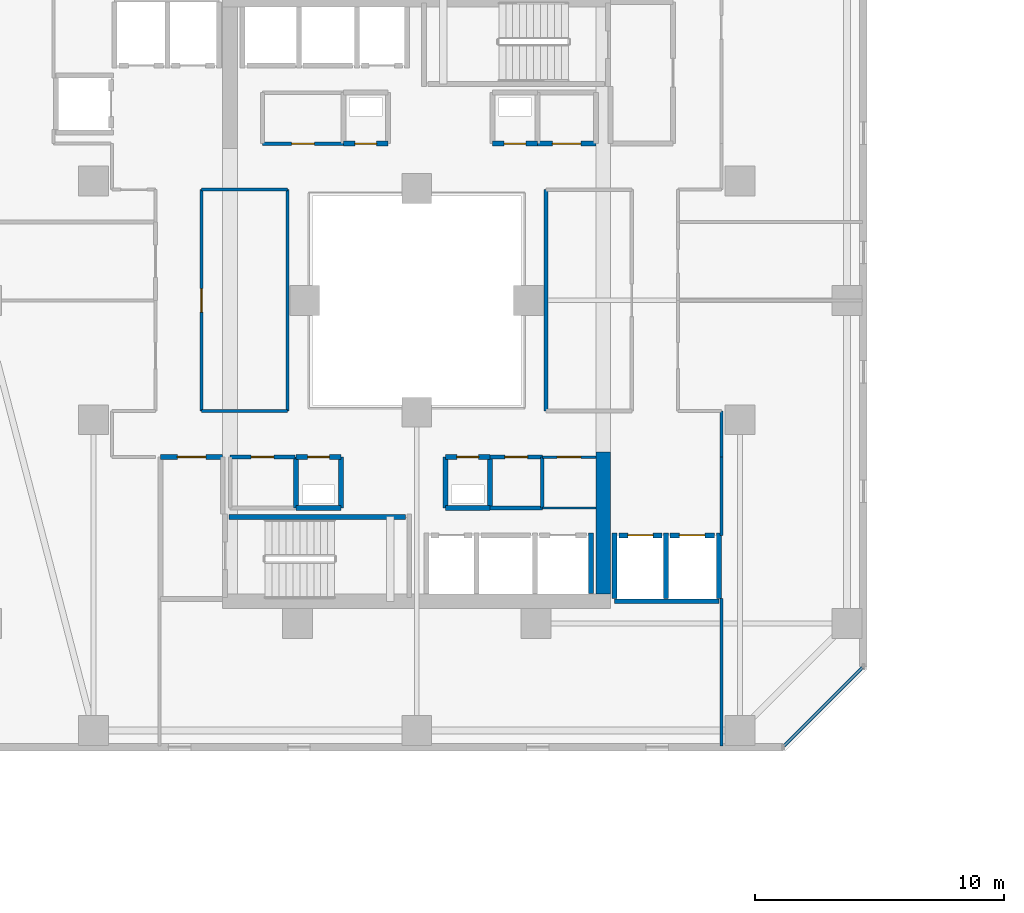
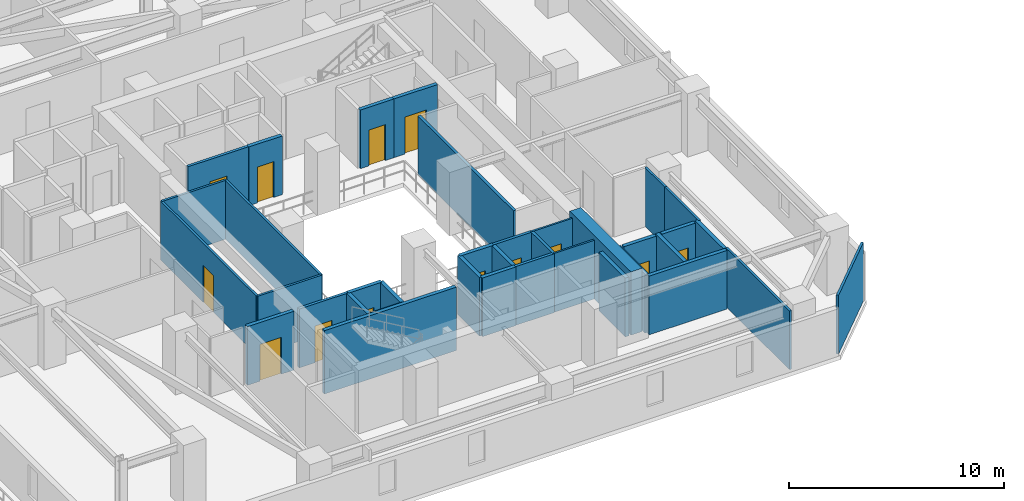
# One storey, part 20 of 33: 37 walls, 13 doors, 13 openings.
"""IFC4 building model written with IfcOpenShell, lengths in metres."""

from ifc_helpers import new_model, si_unit, direction, frame, frame_2d, origin, place, context, subcontext, project, spatial, rectangle, extrude, material, layer, layer_set, type_object, element, fill, save


model = new_model("IFC4")

# Units and contexts
model_context = context("Model", 3, precision=1e-05, world=origin(), true_north=direction((0.0, 1.0)))
body_context = subcontext(model_context, "Body", "Model", "MODEL_VIEW")
ifc_project = project(units=[si_unit("LENGTHUNIT", "METRE"), si_unit("AREAUNIT", "SQUARE_METRE"), si_unit("VOLUMEUNIT", "CUBIC_METRE"), si_unit("PLANEANGLEUNIT", "RADIAN"), si_unit("MASSUNIT", "GRAM", prefix="KILO")], contexts=[model_context])

# Site, building, storey
site_placement = place(None, origin())
site = spatial("IfcSite", under=ifc_project, at=site_placement, CompositionType="ELEMENT")
building_placement = place(site_placement, origin())
building = spatial("IfcBuilding", under=site, at=building_placement, Name="Thornwick Lancets Civic Towers", CompositionType="ELEMENT")
storey_placement = place(building_placement, frame((0.0, 0.0, 108.89990234375)))
storey = spatial("IfcBuildingStorey", under=building, at=storey_placement, Name="L28", CompositionType="ELEMENT", Elevation=108.89990234375)

# Wall, opening, door
ifc_material_1 = material(Name="Concrete blockwork C40/50", Category="masonry")
ifc_layer_1 = layer(ifc_material_1, 0.199951171875, Name="Concrete blockwork C40/50")
ifc_layer_set_1 = layer_set([ifc_layer_1], Name="Concrete blockwork C40/50")
wall_type_1 = type_object("IfcWallType", Name="WALL_COMP_200", PredefinedType="STANDARD", material=ifc_layer_set_1)
wall_1_placement = place(storey_placement, frame((33.6298828125, 17.550048828125, 0.0), z_axis=(0.0, 0.0, 1.0), x_axis=(1.0, 0.0, 0.0)))
wall_1 = element("IfcWall", 1, at=wall_1_placement, inside=storey, type_object=wall_type_1, Name="L28 Hoistway Front Wall PL-AL2", PredefinedType="STANDARD", context=body_context, shape_type="SweptSolid", body=[
    extrude(rectangle(XDim=1.740234375, YDim=0.199951171875, at=frame_2d((0.8701171875, 0.0))), origin(), (0.0, 0.0, 1.0), 3.340087890625),
])
opening_1_placement = place(wall_1_placement, frame((0.360107421875, 0.0, 0.0)))
opening_1 = element("IfcOpeningElement", 2, at=opening_1_placement, cuts=wall_1, Name="Opening LD-PL-AL2", PredefinedType="OPENING", context=body_context, shape_type="SweptSolid", body=[
    extrude(rectangle(XDim=1.02001953125, YDim=2.06005859375, at=frame_2d((0.510009765625, 1.030029296875))), frame((0.0, 0.10986328125, 0.0), z_axis=(0.0, -1.0, 0.0), x_axis=(1.0, 0.0, 0.0)), (0.0, 0.0, 1.0), 0.219970703125),
])
ifc_material_2 = material(Name="Brushed bronze stainless steel", Category="steel")
door_type_1 = type_object("IfcDoorType", Name="DOOR_LIFT_SLIDE", OperationType="SLIDING_TO_LEFT", PredefinedType="DOOR", material=ifc_material_2)
door_1_placement = place(opening_1_placement, origin())
door_1 = element("IfcDoor", 3, at=door_1_placement, inside=storey, type_object=door_type_1, Name="L28 Sliding Lift Landing Door LD-PL-AL2", OperationType="SLIDING_TO_LEFT", OverallHeight=2.06005859375, OverallWidth=1.02001953125, PredefinedType="DOOR", context=body_context, shape_type="SweptSolid", body=[
    extrude(rectangle(XDim=1.02001953125, YDim=2.06005859375, at=frame_2d((0.510009765625, 1.030029296875))), frame((0.0, 0.02490234375, 0.0), z_axis=(0.0, -1.0, 0.0), x_axis=(1.0, 0.0, 0.0)), (0.0, 0.0, 1.0), 0.050048828125),
])
fill(opening_1, door_1)

wall_2_placement = place(storey_placement, frame((35.679931640625, 17.550048828125, 0.0), z_axis=(0.0, 0.0, 1.0), x_axis=(1.0, 0.0, 0.0)))
wall_2 = element("IfcWall", 4, at=wall_2_placement, inside=storey, type_object=wall_type_1, Name="L28 Hoistway Front Wall PL-AL3", PredefinedType="STANDARD", context=body_context, shape_type="SweptSolid", body=[
    extrude(rectangle(XDim=1.7900390625, YDim=0.199951171875, at=frame_2d((0.89501953125, 0.0))), origin(), (0.0, 0.0, 1.0), 3.340087890625),
])
opening_2_placement = place(wall_2_placement, frame((0.385009765625, 0.0, 0.0)))
opening_2 = element("IfcOpeningElement", 5, at=opening_2_placement, cuts=wall_2, Name="Opening LD-PL-AL3", PredefinedType="OPENING", context=body_context, shape_type="SweptSolid", body=[
    extrude(rectangle(XDim=1.02001953125, YDim=2.06005859375, at=frame_2d((0.510009765625, 1.030029296875))), frame((0.0, 0.10986328125, 0.0), z_axis=(0.0, -1.0, 0.0), x_axis=(1.0, 0.0, 0.0)), (0.0, 0.0, 1.0), 0.219970703125),
])
door_2_placement = place(opening_2_placement, origin())
door_2 = element("IfcDoor", 6, at=door_2_placement, inside=storey, type_object=door_type_1, Name="L28 Sliding Lift Landing Door LD-PL-AL3", OperationType="SLIDING_TO_LEFT", OverallHeight=2.06005859375, OverallWidth=1.02001953125, PredefinedType="DOOR", context=body_context, shape_type="SweptSolid", body=[
    extrude(rectangle(XDim=1.02001953125, YDim=2.06005859375, at=frame_2d((0.510009765625, 1.030029296875))), frame((0.0, 0.02490234375, 0.0), z_axis=(0.0, -1.0, 0.0), x_axis=(1.0, 0.0, 0.0)), (0.0, 0.0, 1.0), 0.050048828125),
])
fill(opening_2, door_2)

# Walls
wall_3_placement = place(storey_placement, frame((32.5, 15.2119140625, 0.0), z_axis=(0.0, 0.0, 1.0), x_axis=(0.0, 1.0, 0.0)))
element("IfcWall", 7, at=wall_3_placement, inside=storey, type_object=wall_type_1, Name="L28 Hoistway Shaft Wall PL-AL1 E", PredefinedType="STANDARD", context=body_context, shape_type="SweptSolid", body=[
    extrude(rectangle(XDim=2.43603515625, YDim=0.199951171875, at=frame_2d((1.218017578125, 0.0))), origin(), (0.0, 0.0, 1.0), 3.340087890625),
])
wall_4_placement = place(storey_placement, frame((33.451904296875, 14.89990234375, 0.0), z_axis=(0.0, 0.0, 1.0), x_axis=(1.0, 0.0, 0.0)))
element("IfcWall", 8, at=wall_4_placement, inside=storey, type_object=wall_type_1, Name="L28 Hoistway Shaft Wall PL-AL2 S", PredefinedType="STANDARD", context=body_context, shape_type="SweptSolid", body=[
    extrude(rectangle(XDim=4.196044921875, YDim=0.199951171875, at=frame_2d((2.09814453125, 0.0))), origin(), (0.0, 0.0, 1.0), 3.340087890625),
])
for number, where, z_axis, x_axis, name in (
    (9, (35.52490234375, 15.011962890625, 0.0), (0.0, 0.0, 1.0), (0.0, 1.0, 0.0), "L28 Hoistway Shaft Wall PL-AL2 E"),
    (10, (33.449951171875, 15.011962890625, 0.0), (0.0, 0.0, 1.0), (0.0, 1.0, 0.0), "L28 Hoistway Shaft Wall PL-AL2 W"),
    (11, (37.64990234375, 15.011962890625, 0.0), (0.0, 0.0, 1.0), (0.0, 1.0, 0.0), "L28 Hoistway Shaft Wall PL-AL3 E"),
):
    element("IfcWall", number, at=place(storey_placement, frame(where, z_axis=z_axis, x_axis=x_axis)), inside=storey, type_object=wall_type_1, Name=name, PredefinedType="STANDARD", context=body_context, shape_type="SweptSolid", body=[
        extrude(rectangle(XDim=2.635986328125, YDim=0.199951171875, at=frame_2d((1.31787109375, 0.0))), origin(), (0.0, 0.0, 1.0), 3.340087890625),
    ])

# Wall, opening, door
wall_5_placement = place(storey_placement, frame((17.699951171875, 20.699951171875, 0.0), z_axis=(0.0, 0.0, 1.0), x_axis=(-1.0, 0.0, 0.0)))
wall_5 = element("IfcWall", 12, at=wall_5_placement, inside=storey, type_object=wall_type_1, Name="L28 Partition L28-A-FFLOB1 E3", PredefinedType="STANDARD", context=body_context, shape_type="SweptSolid", body=[
    extrude(rectangle(XDim=2.5, YDim=0.199951171875, at=frame_2d((1.25, 0.0))), origin(), (0.0, 0.0, 1.0), 3.340087890625),
])
opening_3_placement = place(wall_5_placement, frame((0.675048828125, 0.0, 0.0)))
opening_3 = element("IfcOpeningElement", 13, at=opening_3_placement, cuts=wall_5, Name="Opening D-L28-1273", PredefinedType="OPENING", context=body_context, shape_type="SweptSolid", body=[
    extrude(rectangle(XDim=1.14990234375, YDim=2.10009765625, at=frame_2d((0.574951171875, 1.050048828125))), frame((0.0, 0.10986328125, 0.0), z_axis=(0.0, -1.0, 0.0), x_axis=(1.0, 0.0, 0.0)), (0.0, 0.0, 1.0), 0.219970703125),
])
ifc_material_3 = material(Name="Glazed fire-resisting steel", Category="steel")
door_type_2 = type_object("IfcDoorType", Name="DOOR_LOBBY_FD60", OperationType="NOTDEFINED", PredefinedType="DOOR", material=ifc_material_3)
door_3_placement = place(opening_3_placement, origin())
door_3 = element("IfcDoor", 14, at=door_3_placement, inside=storey, type_object=door_type_2, Name="L28 South Firefighting Lobby 1 Door", OperationType="SINGLE_SWING_RIGHT", OverallHeight=2.10009765625, OverallWidth=1.14990234375, PredefinedType="DOOR", context=body_context, shape_type="SweptSolid", body=[
    extrude(rectangle(XDim=1.14990234375, YDim=2.10009765625, at=frame_2d((0.574951171875, 1.050048828125))), frame((0.0, 0.02490234375, 0.0), z_axis=(0.0, -1.0, 0.0), x_axis=(1.0, 0.0, 0.0)), (0.0, 0.0, 1.0), 0.050048828125),
])
fill(opening_3, door_3)

# Walls
wall_6_placement = place(storey_placement, frame((26.64990234375, 18.64990234375, 0.0), z_axis=(0.0, 0.0, 1.0), x_axis=(1.0, 0.0, 0.0)))
element("IfcWall", 15, at=wall_6_placement, inside=storey, type_object=wall_type_1, Name="L28 Partition L28-A-DUCT1 E1", PredefinedType="STANDARD", context=body_context, shape_type="SweptSolid", body=[
    extrude(rectangle(XDim=1.800048828125, YDim=0.199951171875, at=frame_2d((0.89990234375, 0.0))), origin(), (0.0, 0.0, 1.0), 3.340087890625),
])
wall_7_placement = place(storey_placement, frame((28.449951171875, 18.64990234375, 0.0), z_axis=(0.0, 0.0, 1.0), x_axis=(0.0, 1.0, 0.0)))
element("IfcWall", 16, at=wall_7_placement, inside=storey, type_object=wall_type_1, Name="L28 Partition L28-A-DUCT1 E2", PredefinedType="STANDARD", context=body_context, shape_type="SweptSolid", body=[
    extrude(rectangle(XDim=2.050048828125, YDim=0.199951171875, at=frame_2d((1.02490234375, 0.0))), origin(), (0.0, 0.0, 1.0), 3.340087890625),
])

# Wall, opening, door
wall_8_placement = place(storey_placement, frame((28.449951171875, 20.699951171875, 0.0), z_axis=(0.0, 0.0, 1.0), x_axis=(-1.0, 0.0, 0.0)))
wall_8 = element("IfcWall", 17, at=wall_8_placement, inside=storey, type_object=wall_type_1, Name="L28 Partition L28-A-DUCT1 E3", PredefinedType="STANDARD", context=body_context, shape_type="SweptSolid", body=[
    extrude(rectangle(XDim=1.800048828125, YDim=0.199951171875, at=frame_2d((0.89990234375, 0.0))), origin(), (0.0, 0.0, 1.0), 3.340087890625),
])
opening_4_placement = place(wall_8_placement, frame((0.4599609375, 0.0, 0.0)))
opening_4 = element("IfcOpeningElement", 18, at=opening_4_placement, cuts=wall_8, Name="Opening D-L28-1275", PredefinedType="OPENING", context=body_context, shape_type="SweptSolid", body=[
    extrude(rectangle(XDim=0.8798828125, YDim=2.0400390625, at=frame_2d((0.43994140625, 1.02001953125))), frame((0.0, 0.10986328125, 0.0), z_axis=(0.0, -1.0, 0.0), x_axis=(1.0, 0.0, 0.0)), (0.0, 0.0, 1.0), 0.219970703125),
])
ifc_material_4 = material(Name="Steel riser access doorset", Category="steel")
door_type_3 = type_object("IfcDoorType", Name="DOOR_RISER_850", OperationType="NOTDEFINED", PredefinedType="DOOR", material=ifc_material_4)
door_4_placement = place(opening_4_placement, origin())
door_4 = element("IfcDoor", 19, at=door_4_placement, inside=storey, type_object=door_type_3, Name="L28 South Service Duct 1 Door", OperationType="SINGLE_SWING_RIGHT", OverallHeight=2.0400390625, OverallWidth=0.8798828125, PredefinedType="DOOR", context=body_context, shape_type="SweptSolid", body=[
    extrude(rectangle(XDim=0.8798828125, YDim=2.0400390625, at=frame_2d((0.43994140625, 1.02001953125))), frame((0.0, 0.02490234375, 0.0), z_axis=(0.0, -1.0, 0.0), x_axis=(1.0, 0.0, 0.0)), (0.0, 0.0, 1.0), 0.050048828125),
])
fill(opening_4, door_4)

# Walls
wall_9_placement = place(storey_placement, frame((26.64990234375, 20.699951171875, 0.0), z_axis=(0.0, 0.0, 1.0), x_axis=(0.0, -1.0, 0.0)))
element("IfcWall", 20, at=wall_9_placement, inside=storey, type_object=wall_type_1, Name="L28 Partition L28-A-DUCT1 E4", PredefinedType="STANDARD", context=body_context, shape_type="SweptSolid", body=[
    extrude(rectangle(XDim=2.050048828125, YDim=0.199951171875, at=frame_2d((1.02490234375, 0.0))), origin(), (0.0, 0.0, 1.0), 3.340087890625),
])
wall_10_placement = place(storey_placement, frame((20.64990234375, 18.64990234375, 0.0), z_axis=(0.0, 0.0, 1.0), x_axis=(1.0, 0.0, 0.0)))
element("IfcWall", 21, at=wall_10_placement, inside=storey, type_object=wall_type_1, Name="L28 Partition L28-A-RISER1 E1", PredefinedType="STANDARD", context=body_context, shape_type="SweptSolid", body=[
    extrude(rectangle(XDim=1.800048828125, YDim=0.199951171875, at=frame_2d((0.89990234375, 0.0))), origin(), (0.0, 0.0, 1.0), 3.340087890625),
])
wall_11_placement = place(storey_placement, frame((22.449951171875, 18.64990234375, 0.0), z_axis=(0.0, 0.0, 1.0), x_axis=(0.0, 1.0, 0.0)))
element("IfcWall", 22, at=wall_11_placement, inside=storey, type_object=wall_type_1, Name="L28 Partition L28-A-RISER1 E2", PredefinedType="STANDARD", context=body_context, shape_type="SweptSolid", body=[
    extrude(rectangle(XDim=2.050048828125, YDim=0.199951171875, at=frame_2d((1.02490234375, 0.0))), origin(), (0.0, 0.0, 1.0), 3.340087890625),
])

# Wall, opening, door
wall_12_placement = place(storey_placement, frame((22.449951171875, 20.699951171875, 0.0), z_axis=(0.0, 0.0, 1.0), x_axis=(-1.0, 0.0, 0.0)))
wall_12 = element("IfcWall", 23, at=wall_12_placement, inside=storey, type_object=wall_type_1, Name="L28 Partition L28-A-RISER1 E3", PredefinedType="STANDARD", context=body_context, shape_type="SweptSolid", body=[
    extrude(rectangle(XDim=1.800048828125, YDim=0.199951171875, at=frame_2d((0.89990234375, 0.0))), origin(), (0.0, 0.0, 1.0), 3.340087890625),
])
opening_5_placement = place(wall_12_placement, frame((0.4599609375, 0.0, 0.0)))
opening_5 = element("IfcOpeningElement", 24, at=opening_5_placement, cuts=wall_12, Name="Opening D-L28-1276", PredefinedType="OPENING", context=body_context, shape_type="SweptSolid", body=[
    extrude(rectangle(XDim=0.8798828125, YDim=2.0400390625, at=frame_2d((0.43994140625, 1.02001953125))), frame((0.0, 0.10986328125, 0.0), z_axis=(0.0, -1.0, 0.0), x_axis=(1.0, 0.0, 0.0)), (0.0, 0.0, 1.0), 0.219970703125),
])
door_5_placement = place(opening_5_placement, origin())
door_5 = element("IfcDoor", 25, at=door_5_placement, inside=storey, type_object=door_type_3, Name="L28 South Electrical Riser 1 Door", OperationType="SINGLE_SWING_LEFT", OverallHeight=2.0400390625, OverallWidth=0.8798828125, PredefinedType="DOOR", context=body_context, shape_type="SweptSolid", body=[
    extrude(rectangle(XDim=0.8798828125, YDim=2.0400390625, at=frame_2d((0.43994140625, 1.02001953125))), frame((0.0, 0.02490234375, 0.0), z_axis=(0.0, -1.0, 0.0), x_axis=(1.0, 0.0, 0.0)), (0.0, 0.0, 1.0), 0.050048828125),
])
fill(opening_5, door_5)

# Wall
wall_13_placement = place(storey_placement, frame((20.64990234375, 20.699951171875, 0.0), z_axis=(0.0, 0.0, 1.0), x_axis=(0.0, -1.0, 0.0)))
element("IfcWall", 26, at=wall_13_placement, inside=storey, type_object=wall_type_1, Name="L28 Partition L28-A-RISER1 E4", PredefinedType="STANDARD", context=body_context, shape_type="SweptSolid", body=[
    extrude(rectangle(XDim=2.050048828125, YDim=0.199951171875, at=frame_2d((1.02490234375, 0.0))), origin(), (0.0, 0.0, 1.0), 3.340087890625),
])

# Wall, opening, door
wall_14_placement = place(storey_placement, frame((22.550048828125, 33.300048828125, 0.0), z_axis=(0.0, 0.0, 1.0), x_axis=(1.0, 0.0, 0.0)))
wall_14 = element("IfcWall", 27, at=wall_14_placement, inside=storey, type_object=wall_type_1, Name="L28 Partition L28-A-DUCT2 E1", PredefinedType="STANDARD", context=body_context, shape_type="SweptSolid", body=[
    extrude(rectangle(XDim=1.800048828125, YDim=0.199951171875, at=frame_2d((0.89990234375, 0.0))), origin(), (0.0, 0.0, 1.0), 3.340087890625),
])
opening_6_placement = place(wall_14_placement, frame((0.4599609375, 0.0, 0.0)))
opening_6 = element("IfcOpeningElement", 28, at=opening_6_placement, cuts=wall_14, Name="Opening D-L28-1277", PredefinedType="OPENING", context=body_context, shape_type="SweptSolid", body=[
    extrude(rectangle(XDim=0.8798828125, YDim=2.0400390625, at=frame_2d((0.43994140625, 1.02001953125))), frame((0.0, 0.10986328125, 0.0), z_axis=(0.0, -1.0, 0.0), x_axis=(1.0, 0.0, 0.0)), (0.0, 0.0, 1.0), 0.219970703125),
])
door_6_placement = place(opening_6_placement, origin())
door_6 = element("IfcDoor", 29, at=door_6_placement, inside=storey, type_object=door_type_3, Name="L28 North Service Duct 2 Door", OperationType="SINGLE_SWING_RIGHT", OverallHeight=2.0400390625, OverallWidth=0.8798828125, PredefinedType="DOOR", context=body_context, shape_type="SweptSolid", body=[
    extrude(rectangle(XDim=0.8798828125, YDim=2.0400390625, at=frame_2d((0.43994140625, 1.02001953125))), frame((0.0, 0.02490234375, 0.0), z_axis=(0.0, -1.0, 0.0), x_axis=(1.0, 0.0, 0.0)), (0.0, 0.0, 1.0), 0.050048828125),
])
fill(opening_6, door_6)

wall_15_placement = place(storey_placement, frame((28.550048828125, 33.300048828125, 0.0), z_axis=(0.0, 0.0, 1.0), x_axis=(1.0, 0.0, 0.0)))
wall_15 = element("IfcWall", 30, at=wall_15_placement, inside=storey, type_object=wall_type_1, Name="L28 Partition L28-A-RISER2 E1", PredefinedType="STANDARD", context=body_context, shape_type="SweptSolid", body=[
    extrude(rectangle(XDim=1.800048828125, YDim=0.199951171875, at=frame_2d((0.89990234375, 0.0))), origin(), (0.0, 0.0, 1.0), 3.340087890625),
])
opening_7_placement = place(wall_15_placement, frame((0.4599609375, 0.0, 0.0)))
opening_7 = element("IfcOpeningElement", 31, at=opening_7_placement, cuts=wall_15, Name="Opening D-L28-1278", PredefinedType="OPENING", context=body_context, shape_type="SweptSolid", body=[
    extrude(rectangle(XDim=0.8798828125, YDim=2.0400390625, at=frame_2d((0.43994140625, 1.02001953125))), frame((0.0, 0.10986328125, 0.0), z_axis=(0.0, -1.0, 0.0), x_axis=(1.0, 0.0, 0.0)), (0.0, 0.0, 1.0), 0.219970703125),
])
door_7_placement = place(opening_7_placement, origin())
door_7 = element("IfcDoor", 32, at=door_7_placement, inside=storey, type_object=door_type_3, Name="L28 North Service Riser 2 Door", OperationType="SINGLE_SWING_LEFT", OverallHeight=2.0400390625, OverallWidth=0.8798828125, PredefinedType="DOOR", context=body_context, shape_type="SweptSolid", body=[
    extrude(rectangle(XDim=0.8798828125, YDim=2.0400390625, at=frame_2d((0.43994140625, 1.02001953125))), frame((0.0, 0.02490234375, 0.0), z_axis=(0.0, -1.0, 0.0), x_axis=(1.0, 0.0, 0.0)), (0.0, 0.0, 1.0), 0.050048828125),
])
fill(opening_7, door_7)

wall_16_placement = place(storey_placement, frame((32.699951171875, 33.300048828125, 0.0), z_axis=(0.0, 0.0, 1.0), x_axis=(-1.0, 0.0, 0.0)))
wall_16 = element("IfcWall", 33, at=wall_16_placement, inside=storey, type_object=wall_type_1, Name="L28 Partition L28-A-STR E2", PredefinedType="STANDARD", context=body_context, shape_type="SweptSolid", body=[
    extrude(rectangle(XDim=2.349853515625, YDim=0.199951171875, at=frame_2d((1.1748046875, 0.0))), origin(), (0.0, 0.0, 1.0), 3.340087890625),
])
opening_8_placement = place(wall_16_placement, frame((0.60009765625, 0.0, 0.0)))
opening_8 = element("IfcOpeningElement", 34, at=opening_8_placement, cuts=wall_16, Name="Opening D-L28-1283", PredefinedType="OPENING", context=body_context, shape_type="SweptSolid", body=[
    extrude(rectangle(XDim=1.14990234375, YDim=2.10009765625, at=frame_2d((0.574951171875, 1.050048828125))), frame((0.0, 0.10986328125, 0.0), z_axis=(0.0, -1.0, 0.0), x_axis=(1.0, 0.0, 0.0)), (0.0, 0.0, 1.0), 0.219970703125),
])
door_8_placement = place(opening_8_placement, origin())
door_8 = element("IfcDoor", 35, at=door_8_placement, inside=storey, type_object=door_type_2, Name="L28 Tower A Core Equipment Store Door", OperationType="SINGLE_SWING_RIGHT", OverallHeight=2.10009765625, OverallWidth=1.14990234375, PredefinedType="DOOR", context=body_context, shape_type="SweptSolid", body=[
    extrude(rectangle(XDim=1.14990234375, YDim=2.10009765625, at=frame_2d((0.574951171875, 1.050048828125))), frame((0.0, 0.02490234375, 0.0), z_axis=(0.0, -1.0, 0.0), x_axis=(1.0, 0.0, 0.0)), (0.0, 0.0, 1.0), 0.050048828125),
])
fill(opening_8, door_8)

# Walls
ifc_material_5 = material(Name="Concrete C60/75", Category="concrete")
ifc_layer_2 = layer(ifc_material_5, 0.60009765625, Name="Concrete C60/75")
ifc_layer_set_2 = layer_set([ifc_layer_2], Name="Concrete C60/75")
wall_type_2 = type_object("IfcWallType", Name="WALL_CORE_600", PredefinedType="SHEAR", material=ifc_layer_set_2)
wall_17_placement = place(storey_placement, frame((33.0, 15.199951171875, 0.0), z_axis=(0.0, 0.0, 1.0), x_axis=(0.0, 1.0, 0.0)))
element("IfcWall", 36, at=wall_17_placement, inside=storey, type_object=wall_type_2, Name="L28 Split Core A1 Shear Wall E", PredefinedType="SHEAR", context=body_context, shape_type="SweptSolid", body=[
    extrude(rectangle(XDim=5.699951171875, YDim=0.60009765625, at=frame_2d((2.85009765625, 0.0))), origin(), (0.0, 0.0, 1.0), 3.60009765625),
])
ifc_material_6 = material(Name="Lightweight cellular office partition")
ifc_layer_3 = layer(ifc_material_6, 0.10009765625, Name="Lightweight cellular office partition")
ifc_layer_set_3 = layer_set([ifc_layer_3], Name="Lightweight cellular office partition")
wall_type_3 = type_object("IfcWallType", Name="WALL_PART_100", PredefinedType="PARTITIONING", material=ifc_layer_set_3)
wall_18_placement = place(storey_placement, frame((32.699951171875, 18.64990234375, 0.0), z_axis=(0.0, 0.0, 1.0), x_axis=(-1.0, 0.0, 0.0)))
element("IfcWall", 37, at=wall_18_placement, inside=storey, type_object=wall_type_3, Name="L28 Partition L28-A-CLN E2", PredefinedType="PARTITIONING", context=body_context, shape_type="SweptSolid", body=[
    extrude(rectangle(XDim=2.14990234375, YDim=0.10009765625, at=frame_2d((1.074951171875, 0.0))), origin(), (0.0, 0.0, 1.0), 3.340087890625),
])

# Wall, opening, door
wall_19_placement = place(storey_placement, frame((30.550048828125, 20.699951171875, 0.0), z_axis=(0.0, 0.0, 1.0), x_axis=(1.0, 0.0, 0.0)))
wall_19 = element("IfcWall", 38, at=wall_19_placement, inside=storey, type_object=wall_type_3, Name="L28 Partition L28-A-CLN E4", PredefinedType="PARTITIONING", context=body_context, shape_type="SweptSolid", body=[
    extrude(rectangle(XDim=2.14990234375, YDim=0.10009765625, at=frame_2d((1.074951171875, 0.0))), origin(), (0.0, 0.0, 1.0), 3.340087890625),
])
opening_9_placement = place(wall_19_placement, frame((0.60009765625, 0.0, 0.0)))
opening_9 = element("IfcOpeningElement", 39, at=opening_9_placement, cuts=wall_19, Name="Opening D-L28-1281", PredefinedType="OPENING", context=body_context, shape_type="SweptSolid", body=[
    extrude(rectangle(XDim=0.949951171875, YDim=2.10009765625, at=frame_2d((0.47509765625, 1.050048828125))), frame((0.0, 0.06005859375, 0.0), z_axis=(0.0, -1.0, 0.0), x_axis=(1.0, 0.0, 0.0)), (0.0, 0.0, 1.0), 0.1201171875),
])
ifc_material_7 = material(Name="European oak acoustic doorset")
door_type_4 = type_object("IfcDoorType", Name="DOOR_OFFICE_950", OperationType="NOTDEFINED", PredefinedType="DOOR", material=ifc_material_7)
door_9_placement = place(opening_9_placement, origin())
door_9 = element("IfcDoor", 40, at=door_9_placement, inside=storey, type_object=door_type_4, Name="L28 Tower A Cleaners Store Door", OperationType="SINGLE_SWING_RIGHT", OverallHeight=2.10009765625, OverallWidth=0.949951171875, PredefinedType="DOOR", context=body_context, shape_type="SweptSolid", body=[
    extrude(rectangle(XDim=0.949951171875, YDim=2.10009765625, at=frame_2d((0.47509765625, 1.050048828125))), frame((0.0, 0.02490234375, 0.0), z_axis=(0.0, -1.0, 0.0), x_axis=(1.0, 0.0, 0.0)), (0.0, 0.0, 1.0), 0.050048828125),
])
fill(opening_9, door_9)

# Walls
ifc_material_8 = material(Name="Acoustic gypsum board partition")
ifc_layer_4 = layer(ifc_material_8, 0.1201171875, Name="Acoustic gypsum board partition")
ifc_layer_set_4 = layer_set([ifc_layer_4], Name="Acoustic gypsum board partition")
wall_type_4 = type_object("IfcWallType", Name="WALL_PART_120", PredefinedType="PARTITIONING", material=ifc_layer_set_4)
wall_20_placement = place(storey_placement, frame((37.75, 17.550048828125, 0.0), z_axis=(0.0, 0.0, 1.0), x_axis=(0.0, 1.0, 0.0)))
element("IfcWall", 41, at=wall_20_placement, inside=storey, type_object=wall_type_4, Name="L28 Partition L28-A-E1 E1", PredefinedType="PARTITIONING", context=body_context, shape_type="SweptSolid", body=[
    extrude(rectangle(XDim=3.14990234375, YDim=0.1201171875, at=frame_2d((1.574951171875, 0.0))), origin(), (0.0, 0.0, 1.0), 3.340087890625),
])
wall_21_placement = place(storey_placement, frame((37.75, 20.699951171875, 0.0), z_axis=(0.0, 0.0, 1.0), x_axis=(0.0, 1.0, 0.0)))
element("IfcWall", 42, at=wall_21_placement, inside=storey, type_object=wall_type_4, Name="L28 Partition L28-A-E1 E2", PredefinedType="PARTITIONING", context=body_context, shape_type="SweptSolid", body=[
    extrude(rectangle(XDim=1.85009765625, YDim=0.1201171875, at=frame_2d((0.925048828125, 0.0))), origin(), (0.0, 0.0, 1.0), 3.340087890625),
])
wall_22_placement = place(storey_placement, frame((43.419921875, 12.2294921875, 0.0), z_axis=(0.0, 0.0, 1.0), x_axis=(-0.707106781187, -0.707106781187, 0.0)))
element("IfcWall", 43, at=wall_22_placement, inside=storey, type_object=wall_type_4, Name="L28 Partition L28-A-E1 E7", PredefinedType="PARTITIONING", context=body_context, shape_type="SweptSolid", body=[
    extrude(rectangle(XDim=4.453857421875, YDim=0.1201171875, at=frame_2d((2.22705078125, 0.0))), origin(), (0.0, 0.0, 1.0), 3.340087890625),
])
wall_23_placement = place(storey_placement, frame((37.75, 9.080078125, 0.0), z_axis=(0.0, 0.0, 1.0), x_axis=(0.0, 1.0, 0.0)))
element("IfcWall", 44, at=wall_23_placement, inside=storey, type_object=wall_type_4, Name="L28 Partition L28-A-E1 E9", PredefinedType="PARTITIONING", context=body_context, shape_type="SweptSolid", body=[
    extrude(rectangle(XDim=5.931884765625, YDim=0.1201171875, at=frame_2d((2.9658203125, 0.0))), origin(), (0.0, 0.0, 1.0), 3.340087890625),
])

# Wall, opening, door
wall_24_placement = place(storey_placement, frame((16.85009765625, 22.550048828125, 0.0), z_axis=(0.0, 0.0, 1.0), x_axis=(0.0, 1.0, 0.0)))
wall_24 = element("IfcWall", 45, at=wall_24_placement, inside=storey, type_object=wall_type_4, Name="L28 Partition L28-A-ATR-W E1", PredefinedType="PARTITIONING", context=body_context, shape_type="SweptSolid", body=[
    extrude(rectangle(XDim=8.89990234375, YDim=0.1201171875, at=frame_2d((4.449951171875, 0.0))), origin(), (0.0, 0.0, 1.0), 3.340087890625),
])
opening_10_placement = place(wall_24_placement, frame((3.97509765625, 0.0, 0.0)))
opening_10 = element("IfcOpeningElement", 46, at=opening_10_placement, cuts=wall_24, Name="Opening D-L28-1302", PredefinedType="OPENING", context=body_context, shape_type="SweptSolid", body=[
    extrude(rectangle(XDim=0.949951171875, YDim=2.10009765625, at=frame_2d((0.47509765625, 1.050048828125))), frame((0.0, 0.070068359375, 0.0), z_axis=(0.0, -1.0, 0.0), x_axis=(1.0, 0.0, 0.0)), (0.0, 0.0, 1.0), 0.14013671875),
])
door_10_placement = place(opening_10_placement, origin())
door_10 = element("IfcDoor", 47, at=door_10_placement, inside=storey, type_object=door_type_4, Name="L28 Tower A West Atrium Study Lounge Door", OperationType="SINGLE_SWING_LEFT", OverallHeight=2.10009765625, OverallWidth=0.949951171875, PredefinedType="DOOR", context=body_context, shape_type="SweptSolid", body=[
    extrude(rectangle(XDim=0.949951171875, YDim=2.10009765625, at=frame_2d((0.47509765625, 1.050048828125))), frame((0.0, 0.02490234375, 0.0), z_axis=(0.0, -1.0, 0.0), x_axis=(1.0, 0.0, 0.0)), (0.0, 0.0, 1.0), 0.050048828125),
])
fill(opening_10, door_10)

# Walls
wall_25_placement = place(storey_placement, frame((16.85009765625, 31.449951171875, 0.0), z_axis=(0.0, 0.0, 1.0), x_axis=(1.0, 0.0, 0.0)))
element("IfcWall", 48, at=wall_25_placement, inside=storey, type_object=wall_type_4, Name="L28 Partition L28-A-ATR-W E2", PredefinedType="PARTITIONING", context=body_context, shape_type="SweptSolid", body=[
    extrude(rectangle(XDim=3.449951171875, YDim=0.1201171875, at=frame_2d((1.72509765625, 0.0))), origin(), (0.0, 0.0, 1.0), 3.340087890625),
])
wall_26_placement = place(storey_placement, frame((20.300048828125, 31.449951171875, 0.0), z_axis=(0.0, 0.0, 1.0), x_axis=(0.0, -1.0, 0.0)))
element("IfcWall", 49, at=wall_26_placement, inside=storey, type_object=wall_type_4, Name="L28 Partition L28-A-ATR-W E3", PredefinedType="PARTITIONING", context=body_context, shape_type="SweptSolid", body=[
    extrude(rectangle(XDim=8.89990234375, YDim=0.1201171875, at=frame_2d((4.449951171875, 0.0))), origin(), (0.0, 0.0, 1.0), 3.340087890625),
])
wall_27_placement = place(storey_placement, frame((20.300048828125, 22.550048828125, 0.0), z_axis=(0.0, 0.0, 1.0), x_axis=(-1.0, 0.0, 0.0)))
element("IfcWall", 50, at=wall_27_placement, inside=storey, type_object=wall_type_4, Name="L28 Partition L28-A-ATR-W E4", PredefinedType="PARTITIONING", context=body_context, shape_type="SweptSolid", body=[
    extrude(rectangle(XDim=3.449951171875, YDim=0.1201171875, at=frame_2d((1.72509765625, 0.0))), origin(), (0.0, 0.0, 1.0), 3.340087890625),
])

# Wall, opening, door
ifc_material_9 = material(Name="Twin-stud acoustic gypsum board")
ifc_layer_5 = layer(ifc_material_9, 0.14990234375, Name="Twin-stud acoustic gypsum board")
ifc_layer_set_5 = layer_set([ifc_layer_5], Name="Twin-stud acoustic gypsum board")
wall_type_5 = type_object("IfcWallType", Name="WALL_PART_150", PredefinedType="PARTITIONING", material=ifc_layer_set_5)
wall_28_placement = place(storey_placement, frame((20.60009765625, 20.699951171875, 0.0), z_axis=(0.0, 0.0, 1.0), x_axis=(-1.0, 0.0, 0.0)))
wall_28 = element("IfcWall", 51, at=wall_28_placement, inside=storey, type_object=wall_type_5, Name="L28 Partition L28-A-AWC E3", PredefinedType="PARTITIONING", context=body_context, shape_type="SweptSolid", body=[
    extrude(rectangle(XDim=2.60009765625, YDim=0.14990234375, at=frame_2d((1.300048828125, 0.0))), origin(), (0.0, 0.0, 1.0), 3.340087890625),
])
opening_11_placement = place(wall_28_placement, frame((0.840087890625, 0.0, 0.0)))
opening_11 = element("IfcOpeningElement", 52, at=opening_11_placement, cuts=wall_28, Name="Opening D-L28-1279", PredefinedType="OPENING", context=body_context, shape_type="SweptSolid", body=[
    extrude(rectangle(XDim=0.919921875, YDim=2.080078125, at=frame_2d((0.4599609375, 1.0400390625))), frame((0.0, 0.0849609375, 0.0), z_axis=(0.0, -1.0, 0.0), x_axis=(1.0, 0.0, 0.0)), (0.0, 0.0, 1.0), 0.169921875),
])
ifc_material_10 = material(Name="Moisture-resistant oak doorset")
door_type_5 = type_object("IfcDoorType", Name="DOOR_WC_900", OperationType="NOTDEFINED", PredefinedType="DOOR", material=ifc_material_10)
door_11_placement = place(opening_11_placement, origin())
door_11 = element("IfcDoor", 53, at=door_11_placement, inside=storey, type_object=door_type_5, Name="L28 Tower A Accessible WC Door", OperationType="SINGLE_SWING_RIGHT", OverallHeight=2.080078125, OverallWidth=0.919921875, PredefinedType="DOOR", context=body_context, shape_type="SweptSolid", body=[
    extrude(rectangle(XDim=0.919921875, YDim=2.080078125, at=frame_2d((0.4599609375, 1.0400390625))), frame((0.0, 0.02490234375, 0.0), z_axis=(0.0, -1.0, 0.0), x_axis=(1.0, 0.0, 0.0)), (0.0, 0.0, 1.0), 0.050048828125),
])
fill(opening_11, door_11)

# Walls
wall_29_placement = place(storey_placement, frame((30.550048828125, 20.699951171875, 0.0), z_axis=(0.0, 0.0, 1.0), x_axis=(0.0, -1.0, 0.0)))
element("IfcWall", 54, at=wall_29_placement, inside=storey, type_object=wall_type_5, Name="L28 Partition L28-A-MWC E1", PredefinedType="PARTITIONING", context=body_context, shape_type="SweptSolid", body=[
    extrude(rectangle(XDim=2.050048828125, YDim=0.14990234375, at=frame_2d((1.02490234375, 0.0))), origin(), (0.0, 0.0, 1.0), 3.340087890625),
])
wall_30_placement = place(storey_placement, frame((30.550048828125, 18.64990234375, 0.0), z_axis=(0.0, 0.0, 1.0), x_axis=(-1.0, 0.0, 0.0)))
element("IfcWall", 55, at=wall_30_placement, inside=storey, type_object=wall_type_5, Name="L28 Partition L28-A-MWC E2", PredefinedType="PARTITIONING", context=body_context, shape_type="SweptSolid", body=[
    extrude(rectangle(XDim=2.10009765625, YDim=0.14990234375, at=frame_2d((1.050048828125, 0.0))), origin(), (0.0, 0.0, 1.0), 3.340087890625),
])

# Wall, opening, door
wall_31_placement = place(storey_placement, frame((28.449951171875, 20.699951171875, 0.0), z_axis=(0.0, 0.0, 1.0), x_axis=(1.0, 0.0, 0.0)))
wall_31 = element("IfcWall", 56, at=wall_31_placement, inside=storey, type_object=wall_type_5, Name="L28 Partition L28-A-MWC E4", PredefinedType="PARTITIONING", context=body_context, shape_type="SweptSolid", body=[
    extrude(rectangle(XDim=2.10009765625, YDim=0.14990234375, at=frame_2d((1.050048828125, 0.0))), origin(), (0.0, 0.0, 1.0), 3.340087890625),
])
opening_12_placement = place(wall_31_placement, frame((0.590087890625, 0.0, 0.0)))
opening_12 = element("IfcOpeningElement", 57, at=opening_12_placement, cuts=wall_31, Name="Opening D-L28-1280", PredefinedType="OPENING", context=body_context, shape_type="SweptSolid", body=[
    extrude(rectangle(XDim=0.919921875, YDim=2.080078125, at=frame_2d((0.4599609375, 1.0400390625))), frame((0.0, 0.0849609375, 0.0), z_axis=(0.0, -1.0, 0.0), x_axis=(1.0, 0.0, 0.0)), (0.0, 0.0, 1.0), 0.169921875),
])
door_12_placement = place(opening_12_placement, origin())
door_12 = element("IfcDoor", 58, at=door_12_placement, inside=storey, type_object=door_type_5, Name="L28 Tower A Male WC Door", OperationType="SINGLE_SWING_LEFT", OverallHeight=2.080078125, OverallWidth=0.919921875, PredefinedType="DOOR", context=body_context, shape_type="SweptSolid", body=[
    extrude(rectangle(XDim=0.919921875, YDim=2.080078125, at=frame_2d((0.4599609375, 1.0400390625))), frame((0.0, 0.02490234375, 0.0), z_axis=(0.0, -1.0, 0.0), x_axis=(1.0, 0.0, 0.0)), (0.0, 0.0, 1.0), 0.050048828125),
])
fill(opening_12, door_12)

wall_32_placement = place(storey_placement, frame((22.550048828125, 33.300048828125, 0.0), z_axis=(0.0, 0.0, 1.0), x_axis=(-1.0, 0.0, 0.0)))
wall_32 = element("IfcWall", 59, at=wall_32_placement, inside=storey, type_object=wall_type_5, Name="L28 Partition L28-A-FWC E4", PredefinedType="PARTITIONING", context=body_context, shape_type="SweptSolid", body=[
    extrude(rectangle(XDim=3.25, YDim=0.14990234375, at=frame_2d((1.625, 0.0))), origin(), (0.0, 0.0, 1.0), 3.340087890625),
])
opening_13_placement = place(wall_32_placement, frame((1.1650390625, 0.0, 0.0)))
opening_13 = element("IfcOpeningElement", 60, at=opening_13_placement, cuts=wall_32, Name="Opening D-L28-1282", PredefinedType="OPENING", context=body_context, shape_type="SweptSolid", body=[
    extrude(rectangle(XDim=0.919921875, YDim=2.080078125, at=frame_2d((0.4599609375, 1.0400390625))), frame((0.0, 0.0849609375, 0.0), z_axis=(0.0, -1.0, 0.0), x_axis=(1.0, 0.0, 0.0)), (0.0, 0.0, 1.0), 0.169921875),
])
door_13_placement = place(opening_13_placement, origin())
door_13 = element("IfcDoor", 61, at=door_13_placement, inside=storey, type_object=door_type_5, Name="L28 Tower A Female WC Door", OperationType="SINGLE_SWING_LEFT", OverallHeight=2.080078125, OverallWidth=0.919921875, PredefinedType="DOOR", context=body_context, shape_type="SweptSolid", body=[
    extrude(rectangle(XDim=0.919921875, YDim=2.080078125, at=frame_2d((0.4599609375, 1.0400390625))), frame((0.0, 0.02490234375, 0.0), z_axis=(0.0, -1.0, 0.0), x_axis=(1.0, 0.0, 0.0)), (0.0, 0.0, 1.0), 0.050048828125),
])
fill(opening_13, door_13)

# Walls
wall_33_placement = place(storey_placement, frame((30.699951171875, 22.550048828125, 0.0), z_axis=(0.0, 0.0, 1.0), x_axis=(0.0, 1.0, 0.0)))
element("IfcWall", 62, at=wall_33_placement, inside=storey, type_object=wall_type_5, Name="L28 Partition L28-A-ATR-E E1", PredefinedType="PARTITIONING", context=body_context, shape_type="SweptSolid", body=[
    extrude(rectangle(XDim=8.89990234375, YDim=0.14990234375, at=frame_2d((4.449951171875, 0.0))), origin(), (0.0, 0.0, 1.0), 3.340087890625),
])
ifc_material_11 = material(Name="Concrete C40/50", Category="concrete")
ifc_layer_6 = layer(ifc_material_11, 0.199951171875, Name="Concrete C40/50")
ifc_layer_set_6 = layer_set([ifc_layer_6], Name="Concrete C40/50")
wall_type_6 = type_object("IfcWallType", Name="WALL_SHAFT_200", PredefinedType="SHEAR", material=ifc_layer_set_6)
wall_34_placement = place(storey_placement, frame((25.050048828125, 18.297119140625, 0.0), z_axis=(0.0, 0.0, 1.0), x_axis=(-1.0, 0.0, 0.0)))
element("IfcWall", 63, at=wall_34_placement, inside=storey, type_object=wall_type_6, Name="L28 ST-A1 Fire Stair Core Wall RIGHT", PredefinedType="SHEAR", context=body_context, shape_type="SweptSolid", body=[
    extrude(rectangle(XDim=7.10009765625, YDim=0.199951171875, at=frame_2d((3.550048828125, 0.0))), origin(), (0.0, 0.0, 1.0), 3.60009765625),
])

save(model, "model.ifc")
